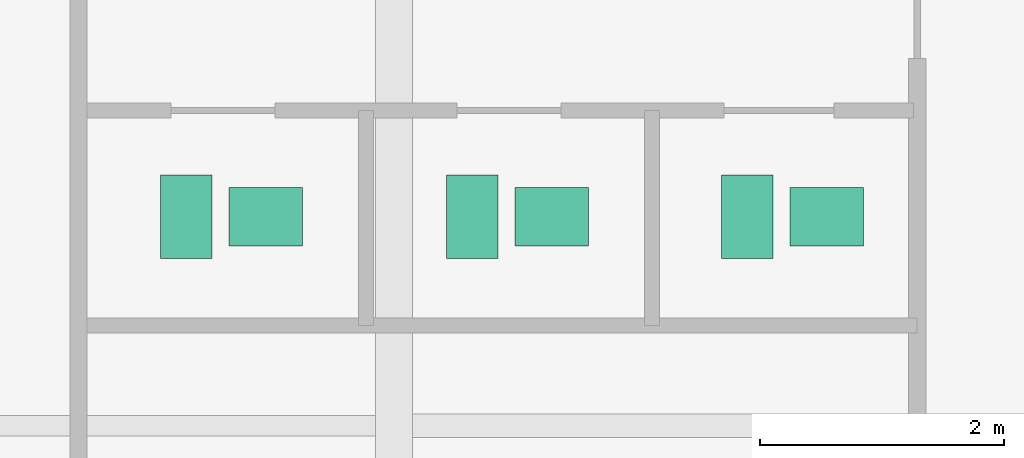
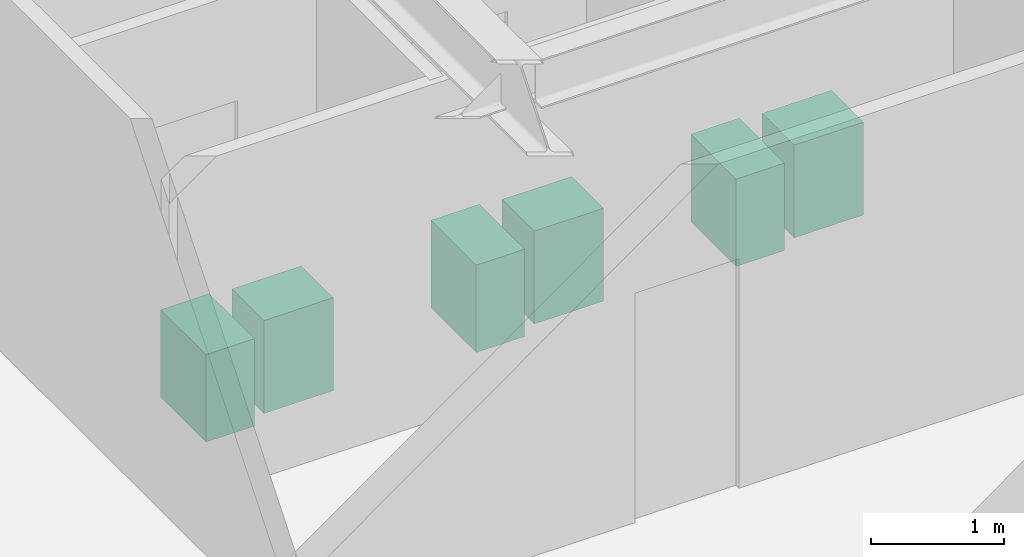
# One storey, part 27 of 27: 6 sanitary terminals.
"""IFC4 building model written with IfcOpenShell, lengths in metres."""

import ifcopenshell
import ifcopenshell.guid

model = None  # the IFC model being written
_history = None  # IfcOwnerHistory: only IFC2X3 demands one
_inside = {}  # id of a spatial element -> (the spatial element, [elements in it])
_under = {}  # id of a project, library or spatial element -> (it, [spatial elements below it])
_declared = {}  # id of a project -> (the project, [libraries it declares])
_typed = {}  # id of a type object -> (the type object, [elements of that type])
_made_of = {}  # id of a material, layer set ... -> (it, [elements and type objects made of it])


def new_model(schema):
    """Start an empty IFC model of exactly this schema.

    Asked for "IFC4X3", IfcOpenShell would pick the latest addendum, in which some entities
    have other attributes; the version numbers below select the first issue.
    IFC2X3 requires an IfcOwnerHistory on every rooted entity: one is made here for all.
    """
    global model, _history
    if schema == "IFC4X3":
        model = ifcopenshell.file(schema_version=(4, 3, 0, 0))
    else:
        model = ifcopenshell.file(schema=schema)
    _inside.clear()
    _under.clear()
    _declared.clear()
    _typed.clear()
    _made_of.clear()
    _history = None
    if model.schema == "IFC2X3":
        org = make("IfcOrganization", Name="unknown")
        user = make(
            "IfcPersonAndOrganization",
            ThePerson=make("IfcPerson", FamilyName="unknown"),
            TheOrganization=org,
        )
        app = make(
            "IfcApplication",
            ApplicationDeveloper=org,
            Version="unknown",
            ApplicationFullName="unknown",
            ApplicationIdentifier="unknown",
        )
        _history = make(
            "IfcOwnerHistory",
            OwningUser=user,
            OwningApplication=app,
            ChangeAction="ADDED",
            CreationDate=0,
        )
    return model


def make(cls, **values):
    """One entity of the class cls with the attributes given. An attribute that is None is left unset."""
    return model.create_entity(
        cls, **{name: value for name, value in values.items() if value is not None}
    )


def rooted(cls, **values):
    """An entity with a GlobalId (a new one), such as an element, a storey or a relation."""
    return make(cls, GlobalId=ifcopenshell.guid.new(), OwnerHistory=_history, **values)


def si_unit(unit_type, name, prefix=None):
    """IfcSIUnit, for example si_unit("LENGTHUNIT", "METRE", prefix="MILLI")."""
    return make("IfcSIUnit", UnitType=unit_type, Prefix=prefix, Name=name)


def assignment(units):
    """IfcUnitAssignment: the units of a project."""
    return None if units is None else make("IfcUnitAssignment", Units=units)


def point(xyz):
    """IfcCartesianPoint."""
    return None if xyz is None else make("IfcCartesianPoint", Coordinates=xyz)


def direction(xyz):
    """IfcDirection."""
    return None if xyz is None else make("IfcDirection", DirectionRatios=xyz)


def frame(location, z_axis=None, x_axis=None):
    """IfcAxis2Placement3D, a coordinate frame: its origin and axes. An axis left out is left unset."""
    return make(
        "IfcAxis2Placement3D",
        Location=point(location),
        Axis=direction(z_axis),
        RefDirection=direction(x_axis),
    )


def frame_2d(location, x_axis=None):
    """IfcAxis2Placement2D, a coordinate frame in the plane: its origin and x axis."""
    return make(
        "IfcAxis2Placement2D", Location=point(location), RefDirection=direction(x_axis)
    )


def origin():
    """The frame at (0, 0, 0) with its axes left unset."""
    return frame((0.0, 0.0, 0.0))


def origin_2d():
    """The frame at (0, 0) in the plane with its x axis left unset."""
    return frame_2d((0.0, 0.0))


def place(relative_to, where):
    """IfcLocalPlacement: puts the frame where relative to a parent placement (None: the world)."""
    return make(
        "IfcLocalPlacement", PlacementRelTo=relative_to, RelativePlacement=where
    )


def context(
    kind, dimensions, precision=None, world=None, true_north=None, identifier=None
):
    """IfcGeometricRepresentationContext, for example the 3D "Model" context."""
    return make(
        "IfcGeometricRepresentationContext",
        ContextIdentifier=identifier,
        ContextType=kind,
        CoordinateSpaceDimension=dimensions,
        Precision=precision,
        WorldCoordinateSystem=world,
        TrueNorth=true_north,
    )


def subcontext(parent, identifier, kind, view, scale=None):
    """IfcGeometricRepresentationSubContext, for example "Body" below "Model"."""
    return make(
        "IfcGeometricRepresentationSubContext",
        ContextIdentifier=identifier,
        ContextType=kind,
        ParentContext=parent,
        TargetScale=scale,
        TargetView=view,
    )


def project(units=None, contexts=None):
    """IfcProject with its units and contexts."""
    return rooted(
        "IfcProject",
        Name="project",
        RepresentationContexts=contexts,
        UnitsInContext=assignment(units),
    )


def spatial(cls, under=None, at=None, **own):
    """A site, building, storey or space (cls), placed at a placement, below another one or the project."""
    s = rooted(cls, ObjectPlacement=at, **own)
    if under is not None:
        _under.setdefault(under.id(), (under, []))[1].append(s)
    return s


def profile(cls, at=None, kind="AREA", **sizes):
    """A parametric profile (cls). Its sizes go by their IFC names, for example OverallWidth=200.0."""
    return make(cls, ProfileType=kind, Position=at, **sizes)


def rectangle(**sizes):
    """IfcRectangleProfileDef."""
    return profile("IfcRectangleProfileDef", **sizes)


def extrude(swept, where, along, depth):
    """IfcExtrudedAreaSolid: the profile swept, set in the frame where, extruded along a direction by depth."""
    return make(
        "IfcExtrudedAreaSolid",
        SweptArea=swept,
        Position=where,
        ExtrudedDirection=direction(along),
        Depth=depth,
    )


def shape(context_of_items, identifier, shape_type, items):
    """IfcShapeRepresentation: the items that make up one representation, for example the "Body"."""
    return make(
        "IfcShapeRepresentation",
        ContextOfItems=context_of_items,
        RepresentationIdentifier=identifier,
        RepresentationType=shape_type,
        Items=items,
    )


def source(mapping_origin, context_of_items, identifier, shape_type, items):
    """IfcRepresentationMap: a shape defined once, which mapped items show again and again."""
    return make(
        "IfcRepresentationMap",
        MappingOrigin=mapping_origin,
        MappedRepresentation=shape(context_of_items, identifier, shape_type, items),
    )


def transform(
    local_origin,
    x_axis=None,
    y_axis=None,
    z_axis=None,
    scale=None,
    scale2=None,
    scale3=None,
    uniform=True,
):
    """IfcCartesianTransformationOperator3D, or its non-uniform kind. x_axis, y_axis, z_axis: its Axis1, 2, 3."""
    if uniform:
        return make(
            "IfcCartesianTransformationOperator3D",
            Axis1=direction(x_axis),
            Axis2=direction(y_axis),
            LocalOrigin=point(local_origin),
            Scale=scale,
            Axis3=direction(z_axis),
        )
    return make(
        "IfcCartesianTransformationOperator3DnonUniform",
        Axis1=direction(x_axis),
        Axis2=direction(y_axis),
        LocalOrigin=point(local_origin),
        Scale=scale,
        Axis3=direction(z_axis),
        Scale2=scale2,
        Scale3=scale3,
    )


def mapped(mapping_source, mapping_target):
    """IfcMappedItem: shows the shape of a source again, moved by a transform."""
    return make(
        "IfcMappedItem", MappingSource=mapping_source, MappingTarget=mapping_target
    )


def material(Name=None, Category=None):
    """IfcMaterial."""
    return make("IfcMaterial", Name=Name, Category=Category)


def made_of(thing, what):
    """Note that an element or type object is made of a material, layer set ...; save() writes the relation."""
    if what is not None:
        _made_of.setdefault(what.id(), (what, []))[1].append(thing)
    return thing


def type_object(cls, material=None, **own):
    """A type object (cls), such as IfcWallType, which elements share."""
    return made_of(rooted(cls, **own), material)


def type_shapes(of_type, sources):
    """Give a type object the sources (RepresentationMaps) that its elements show as mapped items."""
    of_type.RepresentationMaps = sources


def element(
    cls,
    number,
    at=None,
    inside=None,
    cuts=None,
    type_object=None,
    material=None,
    context=None,
    identifier="Body",
    shape_type=None,
    held_by="IfcProductDefinitionShape",
    body=None,
    shapes=None,
    **own,
):
    """One element of the class cls, such as IfcWall. Its Tag is "e" and its number.

    at: its placement. inside: the storey or other place that contains it. cuts: it is an
    opening in that element (IfcRelVoidsElement). A single representation is given by context,
    identifier, shape_type and body (its items); several are given by shapes. held_by: the class
    of the entity that holds the representations. save() writes the other relations.
    """
    e = rooted(cls, Tag="e%d" % number, ObjectPlacement=at, **own)
    if body is not None:
        shapes = [shape(context, identifier, shape_type, body)]
    if shapes is not None:
        e.Representation = make(held_by, Representations=shapes)
    if inside is not None:
        _inside.setdefault(inside.id(), (inside, []))[1].append(e)
    if cuts is not None:
        rooted(
            "IfcRelVoidsElement", RelatingBuildingElement=cuts, RelatedOpeningElement=e
        )
    if type_object is not None:
        _typed.setdefault(type_object.id(), (type_object, []))[1].append(e)
    return made_of(e, material)


def aggregate(whole, parts):
    """IfcRelAggregates: a whole, such as a stair, and the parts it consists of."""
    return rooted("IfcRelAggregates", RelatingObject=whole, RelatedObjects=parts)


def save(model, path):
    """Write the relations noted so far, then the file.

    IfcRelAggregates (storeys below a building ...), IfcRelContainedInSpatialStructure (elements
    in a storey), IfcRelDefinesByType, IfcRelAssociatesMaterial and IfcRelDeclares: one each for
    every whole, place, type object, material and project.
    """
    for whole, parts in _under.values():
        aggregate(whole, parts)
    for where, things in _inside.values():
        rooted(
            "IfcRelContainedInSpatialStructure",
            RelatedElements=things,
            RelatingStructure=where,
        )
    for kind, things in _typed.values():
        rooted("IfcRelDefinesByType", RelatedObjects=things, RelatingType=kind)
    for what, things in _made_of.values():
        rooted("IfcRelAssociatesMaterial", RelatedObjects=things, RelatingMaterial=what)
    for by, libraries in _declared.values():
        rooted("IfcRelDeclares", RelatingContext=by, RelatedDefinitions=libraries)
    model.write(path)


model = new_model("IFC4")

# Units and contexts
model_context = context("Model", 3, precision=1e-05, world=origin(), true_north=direction((0.0, 1.0)))
body_context = subcontext(model_context, "Body", "Model", "MODEL_VIEW")
ifc_project = project(units=[si_unit("LENGTHUNIT", "METRE"), si_unit("AREAUNIT", "SQUARE_METRE"), si_unit("VOLUMEUNIT", "CUBIC_METRE"), si_unit("PLANEANGLEUNIT", "RADIAN"), si_unit("MASSUNIT", "GRAM", prefix="KILO")], contexts=[model_context])

# Site, building, storey
site_placement = place(None, origin())
site = spatial("IfcSite", under=ifc_project, at=site_placement, CompositionType="ELEMENT")
building_placement = place(site_placement, origin())
building = spatial("IfcBuilding", under=site, at=building_placement, Name="Krantzveldt Concourse Tower", CompositionType="ELEMENT")
storey_placement = place(building_placement, frame((0.0, 0.0, 189.64990234375)))
storey = spatial("IfcBuildingStorey", under=building, at=storey_placement, Name="L46", CompositionType="ELEMENT", Elevation=189.64990234375)

# Sanitary terminals
ifc_material = material(Name="Vitreous china", Category="ceramic")
sanitary_terminal_type_1 = type_object("IfcSanitaryTerminalType", Name="SAN-WC-SUITE", PredefinedType="TOILETPAN", material=ifc_material)
shared_shape_1 = source(origin(), body_context, "Body", "SweptSolid", [
    extrude(rectangle(XDim=0.419921875, YDim=0.679931640625, at=origin_2d()), origin(), (0.0, 0.0, 1.0), 0.800048828125),
])
type_shapes(sanitary_terminal_type_1, [shared_shape_1])
for number, where, z_axis, x_axis, name in (
    (1, (28.89990234375, 31.909912109375, 0.0), (0.0, 0.0, 1.0), (1.0, 0.0, 0.0), "WC-SP-L46-WCM"),
    (2, (31.239990234375, 31.909912109375, 0.0), (0.0, 0.0, 1.0), (1.0, 0.0, 0.0), "WC-SP-L46-WCF"),
    (3, (33.489990234375, 31.909912109375, 0.0), (0.0, 0.0, 1.0), (1.0, 0.0, 0.0), "WC-SP-L46-WCA"),
):
    element("IfcSanitaryTerminal", number, at=place(storey_placement, frame(where, z_axis=z_axis, x_axis=x_axis)), inside=storey, type_object=sanitary_terminal_type_1, Name=name, PredefinedType="TOILETPAN", context=body_context, shape_type="MappedRepresentation", body=[
        mapped(shared_shape_1, transform((0.0, 0.0, 0.0), x_axis=(1.0, 0.0, 0.0), y_axis=(0.0, 1.0, 0.0), z_axis=(0.0, 0.0, 1.0), scale=1.0)),
    ])
sanitary_terminal_type_2 = type_object("IfcSanitaryTerminalType", Name="SAN-BASIN-600", PredefinedType="WASHHANDBASIN", material=ifc_material)
shared_shape_2 = source(origin(), body_context, "Body", "SweptSolid", [
    extrude(rectangle(XDim=0.60009765625, YDim=0.47998046875, at=origin_2d()), origin(), (0.0, 0.0, 1.0), 0.85009765625),
])
type_shapes(sanitary_terminal_type_2, [shared_shape_2])
for number, where, z_axis, x_axis, name in (
    (4, (29.550048828125, 31.909912109375, 0.005126953125), (0.0, 0.0, 1.0), (1.0, 0.0, 0.0), "BSN-SP-L46-WCM"),
    (5, (31.889892578125, 31.909912109375, 0.005126953125), (0.0, 0.0, 1.0), (1.0, 0.0, 0.0), "BSN-SP-L46-WCF"),
    (6, (34.139892578125, 31.909912109375, 0.005126953125), (0.0, 0.0, 1.0), (1.0, 0.0, 0.0), "BSN-SP-L46-WCA"),
):
    element("IfcSanitaryTerminal", number, at=place(storey_placement, frame(where, z_axis=z_axis, x_axis=x_axis)), inside=storey, type_object=sanitary_terminal_type_2, Name=name, PredefinedType="WASHHANDBASIN", context=body_context, shape_type="MappedRepresentation", body=[
        mapped(shared_shape_2, transform((0.0, 0.0, 0.0), x_axis=(1.0, 0.0, 0.0), y_axis=(0.0, 1.0, 0.0), z_axis=(0.0, 0.0, 1.0), scale=1.0)),
    ])

save(model, "model.ifc")
